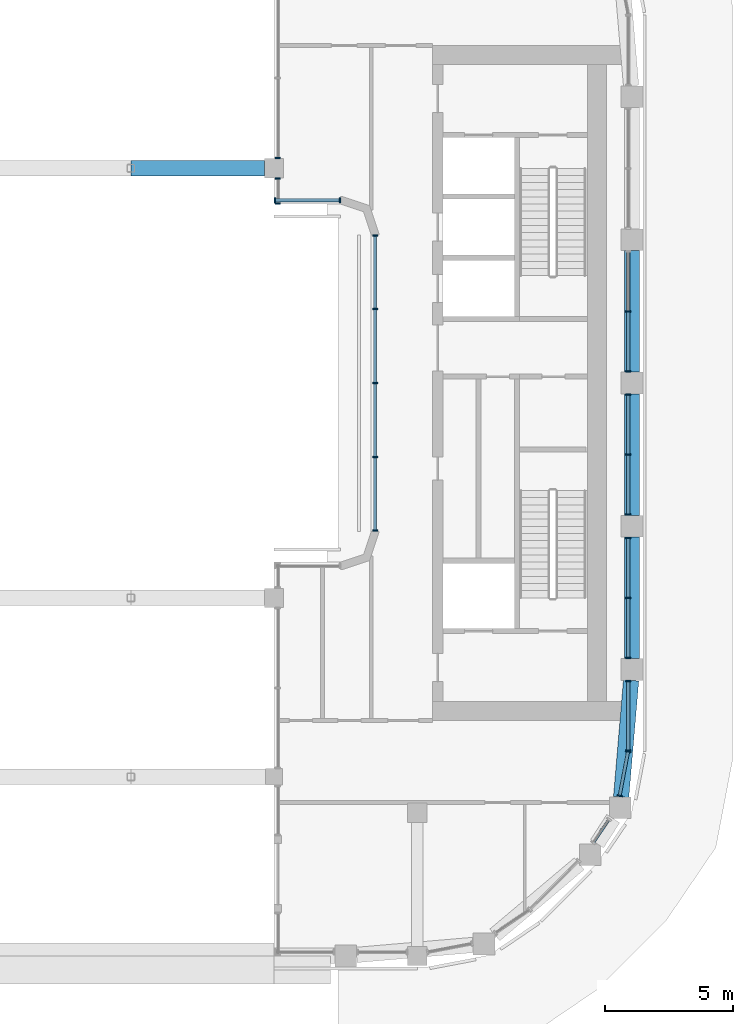
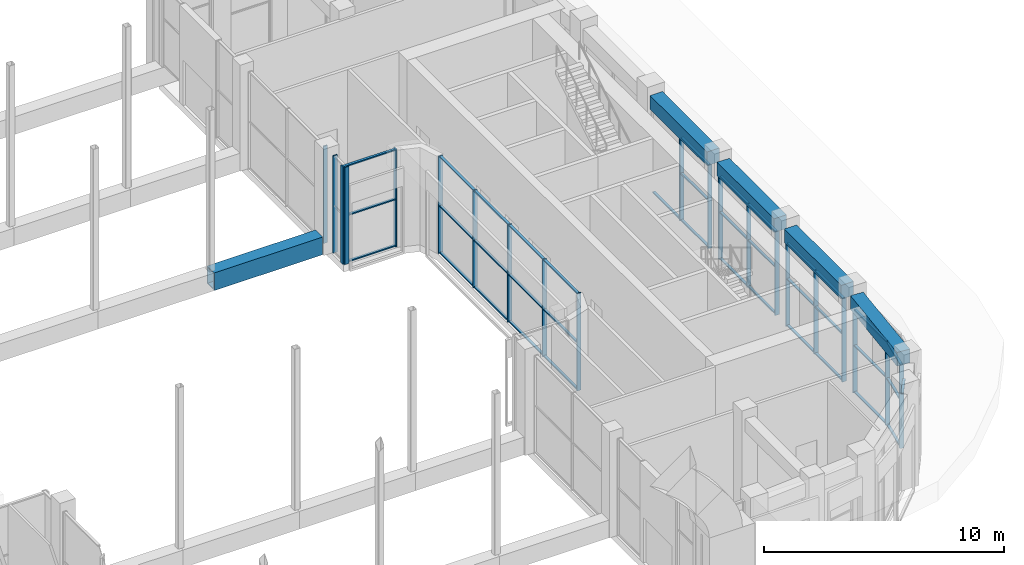
# One storey, part 6 of 26: 61 members, 4 beams, 10 elements without a shape of their own.
"""IFC4 building model written with IfcOpenShell, lengths in metres."""

from ifc_helpers import new_model, si_unit, direction, frame, origin, origin_2d, place, context, subcontext, project, spatial, rectangle, hollow_rectangle, extrude, material, layer, layer_set, material_profile, profile_set, type_object, element, aggregate, save


model = new_model("IFC4")

# Units and contexts
model_context = context("Model", 3, precision=1e-05, world=origin(), true_north=direction((0.0, 1.0)))
body_context = subcontext(model_context, "Body", "Model", "MODEL_VIEW")
ifc_project = project(units=[si_unit("LENGTHUNIT", "METRE"), si_unit("AREAUNIT", "SQUARE_METRE"), si_unit("VOLUMEUNIT", "CUBIC_METRE"), si_unit("PLANEANGLEUNIT", "RADIAN"), si_unit("MASSUNIT", "GRAM", prefix="KILO")], contexts=[model_context])

# Site, building, storey
site_placement = place(None, origin())
site = spatial("IfcSite", under=ifc_project, at=site_placement, CompositionType="ELEMENT")
building_placement = place(site_placement, origin())
building = spatial("IfcBuilding", under=site, at=building_placement, Name="Kiln Ring Residences", CompositionType="ELEMENT")
storey_placement = place(building_placement, frame((0.0, 0.0, 230.89990234375)))
storey = spatial("IfcBuildingStorey", under=building, at=storey_placement, Name="L60", CompositionType="ELEMENT", Elevation=230.89990234375)

# Member
ifc_material_1 = material(Name="Steel S460", Category="steel")
ifc_material_profile_1 = material_profile(ifc_material_1, hollow_rectangle(XDim=0.60009765625, YDim=0.89990234375, WallThickness=0.050048828125, at=origin_2d()), Name="BOX900x600x50")
ifc_profile_set_1 = profile_set([ifc_material_profile_1], Name="Steel S460")
member_type_1 = type_object("IfcMemberType", Name="Bridge truss chord BOX900x600x50 S460", PredefinedType="CHORD", material=ifc_profile_set_1)
member_1_placement = place(storey_placement, frame((5.60009765625, 8.39990234375, 0.4501953125), z_axis=(1.0, 0.0, 0.0), x_axis=(0.0, 1.0, 0.0)))
element("IfcMember", 1, at=member_1_placement, inside=storey, type_object=member_type_1, Name="Bridge truss chord L60 18", PredefinedType="CHORD", context=body_context, shape_type="SweptSolid", body=[
    extrude(hollow_rectangle(XDim=0.60009765625, YDim=0.89990234375, WallThickness=0.050048828125, at=origin_2d()), origin(), (0.0, 0.0, 1.0), 5.224853515625),
])

# Curtain wall, members
ifc_material_2 = material(Name="Aluminium and glass", Category="aluminium")
ifc_layer = layer(ifc_material_2, 0.199951171875)
ifc_layer_set = layer_set([ifc_layer], Name="CW1 CURTAIN WALL")
curtain_wall_type = type_object("IfcCurtainWallType", Name="CW1 CURTAIN WALL", PredefinedType="NOTDEFINED", material=ifc_layer_set)
placement = place(storey_placement, origin())
curtain_wall_1 = element("IfcCurtainWall", 2, at=placement, inside=storey, type_object=curtain_wall_type, Name="Curtain wall CW1 L60", PredefinedType="NOTDEFINED")
ifc_material_3 = material(Name="Aluminium 6063-T6", Category="aluminium")
ifc_material_profile_2 = material_profile(ifc_material_3, rectangle(XDim=0.199951171875, YDim=0.06005859375, at=origin_2d()), Name="AL 200x60")
ifc_profile_set_2 = profile_set([ifc_material_profile_2], Name="Aluminium 6063-T6")
member_type_2 = type_object("IfcMemberType", Name="CW1 MULLION 200 x 60", PredefinedType="MULLION", material=ifc_profile_set_2)
member_2_placement = place(storey_placement, frame((24.715087890625, -16.14111328125, 0.0), z_axis=(0.0, 0.0, 1.0), x_axis=(-0.982290257829, 0.187365550124, 0.0)))
member_2 = element("IfcMember", 3, at=member_2_placement, type_object=member_type_2, Name="CW1 mullion 1", PredefinedType="MULLION", context=body_context, shape_type="SweptSolid", body=[
    extrude(rectangle(XDim=0.199951171875, YDim=0.06005859375, at=origin_2d()), origin(), (0.0, 0.0, 1.0), 4.25),
])
member_3_placement = place(storey_placement, frame((25.047119140625, -14.4013671875, 0.0), z_axis=(0.0, 0.0, 1.0), x_axis=(-0.982290257829, 0.187365550124, 0.0)))
member_3 = element("IfcMember", 4, at=member_3_placement, type_object=member_type_2, Name="CW1 mullion 2", PredefinedType="MULLION", context=body_context, shape_type="SweptSolid", body=[
    extrude(rectangle(XDim=0.199951171875, YDim=0.06005859375, at=origin_2d()), origin(), (0.0, 0.0, 1.0), 4.25),
])

curtain_wall_2 = element("IfcCurtainWall", 5, at=placement, inside=storey, type_object=curtain_wall_type, Name="Curtain wall CW1 L60", PredefinedType="NOTDEFINED")
member_4_placement = place(storey_placement, frame((25.050048828125, -14.3701171875, 0.0), z_axis=(0.0, 0.0, 1.0), x_axis=(-1.0, 0.0, 0.0)))
member_4 = element("IfcMember", 6, at=member_4_placement, type_object=member_type_2, Name="CW1 mullion 1", PredefinedType="MULLION", context=body_context, shape_type="SweptSolid", body=[
    extrude(rectangle(XDim=0.199951171875, YDim=0.06005859375, at=origin_2d()), origin(), (0.0, 0.0, 1.0), 4.25),
])
member_5_placement = place(storey_placement, frame((25.050048828125, -11.655029296875, 0.0), z_axis=(0.0, 0.0, 1.0), x_axis=(-1.0, 0.0, 0.0)))
member_5 = element("IfcMember", 7, at=member_5_placement, type_object=member_type_2, Name="CW1 mullion 2", PredefinedType="MULLION", context=body_context, shape_type="SweptSolid", body=[
    extrude(rectangle(XDim=0.199951171875, YDim=0.06005859375, at=origin_2d()), origin(), (0.0, 0.0, 1.0), 4.25),
])

curtain_wall_3 = element("IfcCurtainWall", 8, at=placement, inside=storey, type_object=curtain_wall_type, Name="Curtain wall CW1 L60", PredefinedType="NOTDEFINED")
member_6_placement = place(storey_placement, frame((25.050048828125, -10.7451171875, 0.0), z_axis=(0.0, 0.0, 1.0), x_axis=(-1.0, 0.0, 0.0)))
member_6 = element("IfcMember", 9, at=member_6_placement, type_object=member_type_2, Name="CW1 mullion 1", PredefinedType="MULLION", context=body_context, shape_type="SweptSolid", body=[
    extrude(rectangle(XDim=0.199951171875, YDim=0.06005859375, at=origin_2d()), origin(), (0.0, 0.0, 1.0), 4.25),
])
member_7_placement = place(storey_placement, frame((25.050048828125, -8.39990234375, 0.0), z_axis=(0.0, 0.0, 1.0), x_axis=(-1.0, 0.0, 0.0)))
member_7 = element("IfcMember", 10, at=member_7_placement, type_object=member_type_2, Name="CW1 mullion 2", PredefinedType="MULLION", context=body_context, shape_type="SweptSolid", body=[
    extrude(rectangle(XDim=0.199951171875, YDim=0.06005859375, at=origin_2d()), origin(), (0.0, 0.0, 1.0), 4.25),
])
member_8_placement = place(storey_placement, frame((25.050048828125, -6.054931640625, 0.0), z_axis=(0.0, 0.0, 1.0), x_axis=(-1.0, 0.0, 0.0)))
member_8 = element("IfcMember", 11, at=member_8_placement, type_object=member_type_2, Name="CW1 mullion 3", PredefinedType="MULLION", context=body_context, shape_type="SweptSolid", body=[
    extrude(rectangle(XDim=0.199951171875, YDim=0.06005859375, at=origin_2d()), origin(), (0.0, 0.0, 1.0), 4.25),
])

curtain_wall_4 = element("IfcCurtainWall", 12, at=placement, inside=storey, type_object=curtain_wall_type, Name="Curtain wall CW1 L60", PredefinedType="NOTDEFINED")
member_9_placement = place(storey_placement, frame((25.050048828125, -5.14501953125, 0.0), z_axis=(0.0, 0.0, 1.0), x_axis=(-1.0, 0.0, 0.0)))
member_9 = element("IfcMember", 13, at=member_9_placement, type_object=member_type_2, Name="CW1 mullion 1", PredefinedType="MULLION", context=body_context, shape_type="SweptSolid", body=[
    extrude(rectangle(XDim=0.199951171875, YDim=0.06005859375, at=origin_2d()), origin(), (0.0, 0.0, 1.0), 4.25),
])
member_10_placement = place(storey_placement, frame((25.050048828125, -2.800048828125, 0.0), z_axis=(0.0, 0.0, 1.0), x_axis=(-1.0, 0.0, 0.0)))
member_10 = element("IfcMember", 14, at=member_10_placement, type_object=member_type_2, Name="CW1 mullion 2", PredefinedType="MULLION", context=body_context, shape_type="SweptSolid", body=[
    extrude(rectangle(XDim=0.199951171875, YDim=0.06005859375, at=origin_2d()), origin(), (0.0, 0.0, 1.0), 4.25),
])
member_11_placement = place(storey_placement, frame((25.050048828125, -0.455078125, 0.0), z_axis=(0.0, 0.0, 1.0), x_axis=(-1.0, 0.0, 0.0)))
member_11 = element("IfcMember", 15, at=member_11_placement, type_object=member_type_2, Name="CW1 mullion 3", PredefinedType="MULLION", context=body_context, shape_type="SweptSolid", body=[
    extrude(rectangle(XDim=0.199951171875, YDim=0.06005859375, at=origin_2d()), origin(), (0.0, 0.0, 1.0), 4.25),
])

curtain_wall_5 = element("IfcCurtainWall", 16, at=placement, inside=storey, type_object=curtain_wall_type, Name="Curtain wall CW1 L60", PredefinedType="NOTDEFINED")
member_12_placement = place(storey_placement, frame((25.050048828125, 0.455078125, 0.0), z_axis=(0.0, 0.0, 1.0), x_axis=(-1.0, 0.0, 0.0)))
member_12 = element("IfcMember", 17, at=member_12_placement, type_object=member_type_2, Name="CW1 mullion 1", PredefinedType="MULLION", context=body_context, shape_type="SweptSolid", body=[
    extrude(rectangle(XDim=0.199951171875, YDim=0.06005859375, at=origin_2d()), origin(), (0.0, 0.0, 1.0), 4.25),
])
member_13_placement = place(storey_placement, frame((25.050048828125, 2.800048828125, 0.0), z_axis=(0.0, 0.0, 1.0), x_axis=(-1.0, 0.0, 0.0)))
member_13 = element("IfcMember", 18, at=member_13_placement, type_object=member_type_2, Name="CW1 mullion 2", PredefinedType="MULLION", context=body_context, shape_type="SweptSolid", body=[
    extrude(rectangle(XDim=0.199951171875, YDim=0.06005859375, at=origin_2d()), origin(), (0.0, 0.0, 1.0), 4.25),
])

# Curtain wall, member
curtain_wall_6 = element("IfcCurtainWall", 19, at=placement, inside=storey, type_object=curtain_wall_type, Name="Curtain wall CW1 L60", PredefinedType="NOTDEFINED")
member_14_placement = place(storey_placement, frame((11.35009765625, 8.804931640625, 0.0), z_axis=(0.0, 0.0, 1.0), x_axis=(1.0, 0.0, 0.0)))
member_14 = element("IfcMember", 20, at=member_14_placement, type_object=member_type_2, Name="CW1 mullion 3", PredefinedType="MULLION", context=body_context, shape_type="SweptSolid", body=[
    extrude(rectangle(XDim=0.199951171875, YDim=0.06005859375, at=origin_2d()), origin(), (0.0, 0.0, 1.0), 4.9501953125),
])
aggregate(curtain_wall_6, [member_14])

# Curtain wall, members
curtain_wall_7 = element("IfcCurtainWall", 21, at=placement, inside=storey, type_object=curtain_wall_type, Name="Curtain wall CW1 L60", PredefinedType="NOTDEFINED")
member_15_placement = place(storey_placement, frame((11.35009765625, 7.9951171875, 0.0), z_axis=(0.0, 0.0, 1.0), x_axis=(1.0, 0.0, 0.0)))
member_15 = element("IfcMember", 22, at=member_15_placement, type_object=member_type_2, Name="CW1 mullion 1", PredefinedType="MULLION", context=body_context, shape_type="SweptSolid", body=[
    extrude(rectangle(XDim=0.199951171875, YDim=0.06005859375, at=origin_2d()), origin(), (0.0, 0.0, 1.0), 4.9501953125),
])
member_16_placement = place(storey_placement, frame((11.35009765625, 7.030029296875, 0.0), z_axis=(0.0, 0.0, 1.0), x_axis=(1.0, 0.0, 0.0)))
member_16 = element("IfcMember", 23, at=member_16_placement, type_object=member_type_2, Name="CW1 mullion 2", PredefinedType="MULLION", context=body_context, shape_type="SweptSolid", body=[
    extrude(rectangle(XDim=0.199951171875, YDim=0.06005859375, at=origin_2d()), origin(), (0.0, 0.0, 1.0), 4.9501953125),
])
aggregate(curtain_wall_7, [member_15, member_16])

curtain_wall_8 = element("IfcCurtainWall", 24, at=placement, inside=storey, type_object=curtain_wall_type, Name="Curtain wall CW1 L60", PredefinedType="NOTDEFINED")
member_17_placement = place(storey_placement, frame((11.22998046875, 7.14990234375, 0.0), z_axis=(0.0, 0.0, 1.0), x_axis=(0.0, 1.0, 0.0)))
member_17 = element("IfcMember", 25, at=member_17_placement, type_object=member_type_2, Name="CW1 mullion 1", PredefinedType="MULLION", context=body_context, shape_type="SweptSolid", body=[
    extrude(rectangle(XDim=0.199951171875, YDim=0.06005859375, at=origin_2d()), origin(), (0.0, 0.0, 1.0), 4.9501953125),
])
member_18_placement = place(storey_placement, frame((13.77001953125, 7.14990234375, 0.0), z_axis=(0.0, 0.0, 1.0), x_axis=(0.0, 1.0, 0.0)))
member_18 = element("IfcMember", 26, at=member_18_placement, type_object=member_type_2, Name="CW1 mullion 2", PredefinedType="MULLION", context=body_context, shape_type="SweptSolid", body=[
    extrude(rectangle(XDim=0.199951171875, YDim=0.06005859375, at=origin_2d()), origin(), (0.0, 0.0, 1.0), 4.9501953125),
])

curtain_wall_9 = element("IfcCurtainWall", 27, at=placement, inside=storey, type_object=curtain_wall_type, Name="Curtain wall CW1 L60", PredefinedType="NOTDEFINED")
member_19_placement = place(storey_placement, frame((15.14990234375, 5.77001953125, 0.0), z_axis=(0.0, 0.0, 1.0), x_axis=(1.0, 0.0, 0.0)))
member_19 = element("IfcMember", 28, at=member_19_placement, type_object=member_type_2, Name="CW1 mullion 1", PredefinedType="MULLION", context=body_context, shape_type="SweptSolid", body=[
    extrude(rectangle(XDim=0.199951171875, YDim=0.06005859375, at=origin_2d()), origin(), (0.0, 0.0, 1.0), 4.9501953125),
])
member_20_placement = place(storey_placement, frame((15.14990234375, 2.89990234375, 0.0), z_axis=(0.0, 0.0, 1.0), x_axis=(1.0, 0.0, 0.0)))
member_20 = element("IfcMember", 29, at=member_20_placement, type_object=member_type_2, Name="CW1 mullion 2", PredefinedType="MULLION", context=body_context, shape_type="SweptSolid", body=[
    extrude(rectangle(XDim=0.199951171875, YDim=0.06005859375, at=origin_2d()), origin(), (0.0, 0.0, 1.0), 4.9501953125),
])
member_21_placement = place(storey_placement, frame((15.14990234375, 0.0, 0.0), z_axis=(0.0, 0.0, 1.0), x_axis=(1.0, 0.0, 0.0)))
member_21 = element("IfcMember", 30, at=member_21_placement, type_object=member_type_2, Name="CW1 mullion 3", PredefinedType="MULLION", context=body_context, shape_type="SweptSolid", body=[
    extrude(rectangle(XDim=0.199951171875, YDim=0.06005859375, at=origin_2d()), origin(), (0.0, 0.0, 1.0), 4.9501953125),
])
member_22_placement = place(storey_placement, frame((15.14990234375, -2.89990234375, 0.0), z_axis=(0.0, 0.0, 1.0), x_axis=(1.0, 0.0, 0.0)))
member_22 = element("IfcMember", 31, at=member_22_placement, type_object=member_type_2, Name="CW1 mullion 4", PredefinedType="MULLION", context=body_context, shape_type="SweptSolid", body=[
    extrude(rectangle(XDim=0.199951171875, YDim=0.06005859375, at=origin_2d()), origin(), (0.0, 0.0, 1.0), 4.9501953125),
])
member_23_placement = place(storey_placement, frame((15.14990234375, -5.77001953125, 0.0), z_axis=(0.0, 0.0, 1.0), x_axis=(1.0, 0.0, 0.0)))
member_23 = element("IfcMember", 32, at=member_23_placement, type_object=member_type_2, Name="CW1 mullion 5", PredefinedType="MULLION", context=body_context, shape_type="SweptSolid", body=[
    extrude(rectangle(XDim=0.199951171875, YDim=0.06005859375, at=origin_2d()), origin(), (0.0, 0.0, 1.0), 4.9501953125),
])

# Curtain wall, member
curtain_wall_10 = element("IfcCurtainWall", 33, at=placement, inside=storey, type_object=curtain_wall_type, Name="Curtain wall CW1 L60", PredefinedType="NOTDEFINED")
ifc_material_4 = material(Name="Aluminium 6063-T6", Category="aluminium")
ifc_material_profile_3 = material_profile(ifc_material_4, rectangle(XDim=0.1201171875, YDim=0.06005859375, at=origin_2d()), Name="AL 120x60")
ifc_profile_set_3 = profile_set([ifc_material_profile_3], Name="Aluminium 6063-T6")
member_type_3 = type_object("IfcMemberType", Name="CW1 TRANSOM 120 x 60", PredefinedType="USERDEFINED", material=ifc_profile_set_3)
member_24_placement = place(storey_placement, frame((23.69580078125, -17.9462890625, 4.22021484375), z_axis=(0.562182033231, 0.827013519546, 0.0), x_axis=(-0.827013519546, 0.562182033231, 0.0)))
member_24 = element("IfcMember", 34, at=member_24_placement, type_object=member_type_3, Name="CW1 transom 1.3", ObjectType="TRANSOM", PredefinedType="USERDEFINED", context=body_context, shape_type="SweptSolid", body=[
    extrude(rectangle(XDim=0.1201171875, YDim=0.06005859375, at=origin_2d()), origin(), (0.0, 0.0, 1.0), 1.04345703125),
])
aggregate(curtain_wall_10, [member_24])

# Member
member_25_placement = place(storey_placement, frame((24.720703125, -16.111572265625, 0.030029296875), z_axis=(0.187492387772, 0.982266055877, 0.0), x_axis=(-0.982266055877, 0.187492387772, 0.0)))
member_25 = element("IfcMember", 35, at=member_25_placement, type_object=member_type_3, Name="CW1 transom 1.1", ObjectType="TRANSOM", PredefinedType="USERDEFINED", context=body_context, shape_type="SweptSolid", body=[
    extrude(rectangle(XDim=0.1201171875, YDim=0.06005859375, at=origin_2d()), origin(), (0.0, 0.0, 1.0), 1.7109375),
])

member_26_placement = place(storey_placement, frame((24.720703125, -16.111572265625, 2.400146484375), z_axis=(0.187492387772, 0.982266055877, 0.0), x_axis=(-0.982266055877, 0.187492387772, 0.0)))
member_26 = element("IfcMember", 36, at=member_26_placement, type_object=member_type_3, Name="CW1 transom 1.2", ObjectType="TRANSOM", PredefinedType="USERDEFINED", context=body_context, shape_type="SweptSolid", body=[
    extrude(rectangle(XDim=0.1201171875, YDim=0.06005859375, at=origin_2d()), origin(), (0.0, 0.0, 1.0), 1.7109375),
])

member_27_placement = place(storey_placement, frame((24.720703125, -16.111572265625, 4.22021484375), z_axis=(0.187492387772, 0.982266055877, 0.0), x_axis=(-0.982266055877, 0.187492387772, 0.0)))
member_27 = element("IfcMember", 37, at=member_27_placement, type_object=member_type_3, Name="CW1 transom 1.3", ObjectType="TRANSOM", PredefinedType="USERDEFINED", context=body_context, shape_type="SweptSolid", body=[
    extrude(rectangle(XDim=0.1201171875, YDim=0.06005859375, at=origin_2d()), origin(), (0.0, 0.0, 1.0), 1.7109375),
])

aggregate(curtain_wall_1, [member_2, member_3, member_25, member_26, member_27])

member_28_placement = place(storey_placement, frame((25.050048828125, -14.340087890625, 0.030029296875), z_axis=(0.0, 1.0, 0.0), x_axis=(-1.0, 0.0, 0.0)))
member_28 = element("IfcMember", 38, at=member_28_placement, type_object=member_type_3, Name="CW1 transom 1.1", ObjectType="TRANSOM", PredefinedType="USERDEFINED", context=body_context, shape_type="SweptSolid", body=[
    extrude(rectangle(XDim=0.1201171875, YDim=0.06005859375, at=origin_2d()), origin(), (0.0, 0.0, 1.0), 2.655029296875),
])

member_29_placement = place(storey_placement, frame((25.050048828125, -14.340087890625, 2.400146484375), z_axis=(0.0, 1.0, 0.0), x_axis=(-1.0, 0.0, 0.0)))
member_29 = element("IfcMember", 39, at=member_29_placement, type_object=member_type_3, Name="CW1 transom 1.2", ObjectType="TRANSOM", PredefinedType="USERDEFINED", context=body_context, shape_type="SweptSolid", body=[
    extrude(rectangle(XDim=0.1201171875, YDim=0.06005859375, at=origin_2d()), origin(), (0.0, 0.0, 1.0), 2.655029296875),
])

member_30_placement = place(storey_placement, frame((25.050048828125, -14.340087890625, 4.22021484375), z_axis=(0.0, 1.0, 0.0), x_axis=(-1.0, 0.0, 0.0)))
member_30 = element("IfcMember", 40, at=member_30_placement, type_object=member_type_3, Name="CW1 transom 1.3", ObjectType="TRANSOM", PredefinedType="USERDEFINED", context=body_context, shape_type="SweptSolid", body=[
    extrude(rectangle(XDim=0.1201171875, YDim=0.06005859375, at=origin_2d()), origin(), (0.0, 0.0, 1.0), 2.655029296875),
])

aggregate(curtain_wall_2, [member_4, member_5, member_28, member_29, member_30])

member_31_placement = place(storey_placement, frame((25.050048828125, -10.715087890625, 0.030029296875), z_axis=(0.0, 1.0, 0.0), x_axis=(-1.0, 0.0, 0.0)))
member_31 = element("IfcMember", 41, at=member_31_placement, type_object=member_type_3, Name="CW1 transom 1.1", ObjectType="TRANSOM", PredefinedType="USERDEFINED", context=body_context, shape_type="SweptSolid", body=[
    extrude(rectangle(XDim=0.1201171875, YDim=0.06005859375, at=origin_2d()), origin(), (0.0, 0.0, 1.0), 2.28515625),
])

member_32_placement = place(storey_placement, frame((25.050048828125, -10.715087890625, 2.400146484375), z_axis=(0.0, 1.0, 0.0), x_axis=(-1.0, 0.0, 0.0)))
member_32 = element("IfcMember", 42, at=member_32_placement, type_object=member_type_3, Name="CW1 transom 1.2", ObjectType="TRANSOM", PredefinedType="USERDEFINED", context=body_context, shape_type="SweptSolid", body=[
    extrude(rectangle(XDim=0.1201171875, YDim=0.06005859375, at=origin_2d()), origin(), (0.0, 0.0, 1.0), 2.28515625),
])

member_33_placement = place(storey_placement, frame((25.050048828125, -10.715087890625, 4.22021484375), z_axis=(0.0, 1.0, 0.0), x_axis=(-1.0, 0.0, 0.0)))
member_33 = element("IfcMember", 43, at=member_33_placement, type_object=member_type_3, Name="CW1 transom 1.3", ObjectType="TRANSOM", PredefinedType="USERDEFINED", context=body_context, shape_type="SweptSolid", body=[
    extrude(rectangle(XDim=0.1201171875, YDim=0.06005859375, at=origin_2d()), origin(), (0.0, 0.0, 1.0), 2.28515625),
])

member_34_placement = place(storey_placement, frame((25.050048828125, -8.3701171875, 0.030029296875), z_axis=(0.0, 1.0, 0.0), x_axis=(-1.0, 0.0, 0.0)))
member_34 = element("IfcMember", 44, at=member_34_placement, type_object=member_type_3, Name="CW1 transom 2.1", ObjectType="TRANSOM", PredefinedType="USERDEFINED", context=body_context, shape_type="SweptSolid", body=[
    extrude(rectangle(XDim=0.1201171875, YDim=0.06005859375, at=origin_2d()), origin(), (0.0, 0.0, 1.0), 2.28515625),
])

member_35_placement = place(storey_placement, frame((25.050048828125, -8.3701171875, 2.400146484375), z_axis=(0.0, 1.0, 0.0), x_axis=(-1.0, 0.0, 0.0)))
member_35 = element("IfcMember", 45, at=member_35_placement, type_object=member_type_3, Name="CW1 transom 2.2", ObjectType="TRANSOM", PredefinedType="USERDEFINED", context=body_context, shape_type="SweptSolid", body=[
    extrude(rectangle(XDim=0.1201171875, YDim=0.06005859375, at=origin_2d()), origin(), (0.0, 0.0, 1.0), 2.28515625),
])

member_36_placement = place(storey_placement, frame((25.050048828125, -8.3701171875, 4.22021484375), z_axis=(0.0, 1.0, 0.0), x_axis=(-1.0, 0.0, 0.0)))
member_36 = element("IfcMember", 46, at=member_36_placement, type_object=member_type_3, Name="CW1 transom 2.3", ObjectType="TRANSOM", PredefinedType="USERDEFINED", context=body_context, shape_type="SweptSolid", body=[
    extrude(rectangle(XDim=0.1201171875, YDim=0.06005859375, at=origin_2d()), origin(), (0.0, 0.0, 1.0), 2.28515625),
])

aggregate(curtain_wall_3, [member_6, member_7, member_8, member_31, member_32, member_33, member_34, member_35, member_36])

member_37_placement = place(storey_placement, frame((25.050048828125, -5.114990234375, 0.030029296875), z_axis=(0.0, 1.0, 0.0), x_axis=(-1.0, 0.0, 0.0)))
member_37 = element("IfcMember", 47, at=member_37_placement, type_object=member_type_3, Name="CW1 transom 1.1", ObjectType="TRANSOM", PredefinedType="USERDEFINED", context=body_context, shape_type="SweptSolid", body=[
    extrude(rectangle(XDim=0.1201171875, YDim=0.06005859375, at=origin_2d()), origin(), (0.0, 0.0, 1.0), 2.284912109375),
])

member_38_placement = place(storey_placement, frame((25.050048828125, -5.114990234375, 2.400146484375), z_axis=(0.0, 1.0, 0.0), x_axis=(-1.0, 0.0, 0.0)))
member_38 = element("IfcMember", 48, at=member_38_placement, type_object=member_type_3, Name="CW1 transom 1.2", ObjectType="TRANSOM", PredefinedType="USERDEFINED", context=body_context, shape_type="SweptSolid", body=[
    extrude(rectangle(XDim=0.1201171875, YDim=0.06005859375, at=origin_2d()), origin(), (0.0, 0.0, 1.0), 2.284912109375),
])

member_39_placement = place(storey_placement, frame((25.050048828125, -5.114990234375, 4.22021484375), z_axis=(0.0, 1.0, 0.0), x_axis=(-1.0, 0.0, 0.0)))
member_39 = element("IfcMember", 49, at=member_39_placement, type_object=member_type_3, Name="CW1 transom 1.3", ObjectType="TRANSOM", PredefinedType="USERDEFINED", context=body_context, shape_type="SweptSolid", body=[
    extrude(rectangle(XDim=0.1201171875, YDim=0.06005859375, at=origin_2d()), origin(), (0.0, 0.0, 1.0), 2.284912109375),
])

member_40_placement = place(storey_placement, frame((25.050048828125, -2.77001953125, 0.030029296875), z_axis=(0.0, 1.0, 0.0), x_axis=(-1.0, 0.0, 0.0)))
member_40 = element("IfcMember", 50, at=member_40_placement, type_object=member_type_3, Name="CW1 transom 2.1", ObjectType="TRANSOM", PredefinedType="USERDEFINED", context=body_context, shape_type="SweptSolid", body=[
    extrude(rectangle(XDim=0.1201171875, YDim=0.06005859375, at=origin_2d()), origin(), (0.0, 0.0, 1.0), 2.284912109375),
])

member_41_placement = place(storey_placement, frame((25.050048828125, -2.77001953125, 2.400146484375), z_axis=(0.0, 1.0, 0.0), x_axis=(-1.0, 0.0, 0.0)))
member_41 = element("IfcMember", 51, at=member_41_placement, type_object=member_type_3, Name="CW1 transom 2.2", ObjectType="TRANSOM", PredefinedType="USERDEFINED", context=body_context, shape_type="SweptSolid", body=[
    extrude(rectangle(XDim=0.1201171875, YDim=0.06005859375, at=origin_2d()), origin(), (0.0, 0.0, 1.0), 2.284912109375),
])

member_42_placement = place(storey_placement, frame((25.050048828125, -2.77001953125, 4.22021484375), z_axis=(0.0, 1.0, 0.0), x_axis=(-1.0, 0.0, 0.0)))
member_42 = element("IfcMember", 52, at=member_42_placement, type_object=member_type_3, Name="CW1 transom 2.3", ObjectType="TRANSOM", PredefinedType="USERDEFINED", context=body_context, shape_type="SweptSolid", body=[
    extrude(rectangle(XDim=0.1201171875, YDim=0.06005859375, at=origin_2d()), origin(), (0.0, 0.0, 1.0), 2.284912109375),
])

aggregate(curtain_wall_4, [member_9, member_10, member_11, member_37, member_38, member_39, member_40, member_41, member_42])

member_43_placement = place(storey_placement, frame((25.050048828125, 0.485107421875, 0.030029296875), z_axis=(0.0, 1.0, 0.0), x_axis=(-1.0, 0.0, 0.0)))
member_43 = element("IfcMember", 53, at=member_43_placement, type_object=member_type_3, Name="CW1 transom 1.1", ObjectType="TRANSOM", PredefinedType="USERDEFINED", context=body_context, shape_type="SweptSolid", body=[
    extrude(rectangle(XDim=0.1201171875, YDim=0.06005859375, at=origin_2d()), origin(), (0.0, 0.0, 1.0), 2.284912109375),
])

member_44_placement = place(storey_placement, frame((25.050048828125, 0.485107421875, 2.400146484375), z_axis=(0.0, 1.0, 0.0), x_axis=(-1.0, 0.0, 0.0)))
member_44 = element("IfcMember", 54, at=member_44_placement, type_object=member_type_3, Name="CW1 transom 1.2", ObjectType="TRANSOM", PredefinedType="USERDEFINED", context=body_context, shape_type="SweptSolid", body=[
    extrude(rectangle(XDim=0.1201171875, YDim=0.06005859375, at=origin_2d()), origin(), (0.0, 0.0, 1.0), 2.284912109375),
])

member_45_placement = place(storey_placement, frame((25.050048828125, 0.485107421875, 4.22021484375), z_axis=(0.0, 1.0, 0.0), x_axis=(-1.0, 0.0, 0.0)))
member_45 = element("IfcMember", 55, at=member_45_placement, type_object=member_type_3, Name="CW1 transom 1.3", ObjectType="TRANSOM", PredefinedType="USERDEFINED", context=body_context, shape_type="SweptSolid", body=[
    extrude(rectangle(XDim=0.1201171875, YDim=0.06005859375, at=origin_2d()), origin(), (0.0, 0.0, 1.0), 2.284912109375),
])

member_46_placement = place(storey_placement, frame((25.050048828125, 2.830078125, 0.030029296875), z_axis=(0.0, 1.0, 0.0), x_axis=(-1.0, 0.0, 0.0)))
member_46 = element("IfcMember", 56, at=member_46_placement, type_object=member_type_3, Name="CW1 transom 2.1", ObjectType="TRANSOM", PredefinedType="USERDEFINED", context=body_context, shape_type="SweptSolid", body=[
    extrude(rectangle(XDim=0.1201171875, YDim=0.06005859375, at=origin_2d()), origin(), (0.0, 0.0, 1.0), 2.284912109375),
])

aggregate(curtain_wall_5, [member_12, member_13, member_43, member_44, member_45, member_46])

member_47_placement = place(storey_placement, frame((11.260009765625, 7.14990234375, 0.030029296875), z_axis=(1.0, 0.0, 0.0), x_axis=(0.0, 1.0, 0.0)))
member_47 = element("IfcMember", 57, at=member_47_placement, type_object=member_type_3, Name="CW1 transom 1.1", ObjectType="TRANSOM", PredefinedType="USERDEFINED", context=body_context, shape_type="SweptSolid", body=[
    extrude(rectangle(XDim=0.1201171875, YDim=0.06005859375, at=origin_2d()), origin(), (0.0, 0.0, 1.0), 2.47998046875),
])

member_48_placement = place(storey_placement, frame((11.260009765625, 7.14990234375, 2.400146484375), z_axis=(1.0, 0.0, 0.0), x_axis=(0.0, 1.0, 0.0)))
member_48 = element("IfcMember", 58, at=member_48_placement, type_object=member_type_3, Name="CW1 transom 1.2", ObjectType="TRANSOM", PredefinedType="USERDEFINED", context=body_context, shape_type="SweptSolid", body=[
    extrude(rectangle(XDim=0.1201171875, YDim=0.06005859375, at=origin_2d()), origin(), (0.0, 0.0, 1.0), 2.47998046875),
])

member_49_placement = place(storey_placement, frame((11.260009765625, 7.14990234375, 4.920166015625), z_axis=(1.0, 0.0, 0.0), x_axis=(0.0, 1.0, 0.0)))
member_49 = element("IfcMember", 59, at=member_49_placement, type_object=member_type_3, Name="CW1 transom 1.3", ObjectType="TRANSOM", PredefinedType="USERDEFINED", context=body_context, shape_type="SweptSolid", body=[
    extrude(rectangle(XDim=0.1201171875, YDim=0.06005859375, at=origin_2d()), origin(), (0.0, 0.0, 1.0), 2.47998046875),
])

aggregate(curtain_wall_8, [member_17, member_18, member_47, member_48, member_49])

member_50_placement = place(storey_placement, frame((15.14990234375, 5.739990234375, 0.030029296875), z_axis=(0.0, -1.0, 0.0), x_axis=(1.0, 0.0, 0.0)))
member_50 = element("IfcMember", 60, at=member_50_placement, type_object=member_type_3, Name="CW1 transom 1.1", ObjectType="TRANSOM", PredefinedType="USERDEFINED", context=body_context, shape_type="SweptSolid", body=[
    extrude(rectangle(XDim=0.1201171875, YDim=0.06005859375, at=origin_2d()), origin(), (0.0, 0.0, 1.0), 2.81005859375),
])

member_51_placement = place(storey_placement, frame((15.14990234375, 5.739990234375, 2.400146484375), z_axis=(0.0, -1.0, 0.0), x_axis=(1.0, 0.0, 0.0)))
member_51 = element("IfcMember", 61, at=member_51_placement, type_object=member_type_3, Name="CW1 transom 1.2", ObjectType="TRANSOM", PredefinedType="USERDEFINED", context=body_context, shape_type="SweptSolid", body=[
    extrude(rectangle(XDim=0.1201171875, YDim=0.06005859375, at=origin_2d()), origin(), (0.0, 0.0, 1.0), 2.81005859375),
])

member_52_placement = place(storey_placement, frame((15.14990234375, 5.739990234375, 4.920166015625), z_axis=(0.0, -1.0, 0.0), x_axis=(1.0, 0.0, 0.0)))
member_52 = element("IfcMember", 62, at=member_52_placement, type_object=member_type_3, Name="CW1 transom 1.3", ObjectType="TRANSOM", PredefinedType="USERDEFINED", context=body_context, shape_type="SweptSolid", body=[
    extrude(rectangle(XDim=0.1201171875, YDim=0.06005859375, at=origin_2d()), origin(), (0.0, 0.0, 1.0), 2.81005859375),
])

member_53_placement = place(storey_placement, frame((15.14990234375, 2.8701171875, 0.030029296875), z_axis=(0.0, -1.0, 0.0), x_axis=(1.0, 0.0, 0.0)))
member_53 = element("IfcMember", 63, at=member_53_placement, type_object=member_type_3, Name="CW1 transom 2.1", ObjectType="TRANSOM", PredefinedType="USERDEFINED", context=body_context, shape_type="SweptSolid", body=[
    extrude(rectangle(XDim=0.1201171875, YDim=0.06005859375, at=origin_2d()), origin(), (0.0, 0.0, 1.0), 2.840087890625),
])

member_54_placement = place(storey_placement, frame((15.14990234375, 2.8701171875, 2.400146484375), z_axis=(0.0, -1.0, 0.0), x_axis=(1.0, 0.0, 0.0)))
member_54 = element("IfcMember", 64, at=member_54_placement, type_object=member_type_3, Name="CW1 transom 2.2", ObjectType="TRANSOM", PredefinedType="USERDEFINED", context=body_context, shape_type="SweptSolid", body=[
    extrude(rectangle(XDim=0.1201171875, YDim=0.06005859375, at=origin_2d()), origin(), (0.0, 0.0, 1.0), 2.840087890625),
])

member_55_placement = place(storey_placement, frame((15.14990234375, 2.8701171875, 4.920166015625), z_axis=(0.0, -1.0, 0.0), x_axis=(1.0, 0.0, 0.0)))
member_55 = element("IfcMember", 65, at=member_55_placement, type_object=member_type_3, Name="CW1 transom 2.3", ObjectType="TRANSOM", PredefinedType="USERDEFINED", context=body_context, shape_type="SweptSolid", body=[
    extrude(rectangle(XDim=0.1201171875, YDim=0.06005859375, at=origin_2d()), origin(), (0.0, 0.0, 1.0), 2.840087890625),
])

member_56_placement = place(storey_placement, frame((15.14990234375, -0.030029296875, 0.030029296875), z_axis=(0.0, -1.0, 0.0), x_axis=(1.0, 0.0, 0.0)))
member_56 = element("IfcMember", 66, at=member_56_placement, type_object=member_type_3, Name="CW1 transom 3.1", ObjectType="TRANSOM", PredefinedType="USERDEFINED", context=body_context, shape_type="SweptSolid", body=[
    extrude(rectangle(XDim=0.1201171875, YDim=0.06005859375, at=origin_2d()), origin(), (0.0, 0.0, 1.0), 2.840087890625),
])

member_57_placement = place(storey_placement, frame((15.14990234375, -0.030029296875, 2.400146484375), z_axis=(0.0, -1.0, 0.0), x_axis=(1.0, 0.0, 0.0)))
member_57 = element("IfcMember", 67, at=member_57_placement, type_object=member_type_3, Name="CW1 transom 3.2", ObjectType="TRANSOM", PredefinedType="USERDEFINED", context=body_context, shape_type="SweptSolid", body=[
    extrude(rectangle(XDim=0.1201171875, YDim=0.06005859375, at=origin_2d()), origin(), (0.0, 0.0, 1.0), 2.840087890625),
])

member_58_placement = place(storey_placement, frame((15.14990234375, -0.030029296875, 4.920166015625), z_axis=(0.0, -1.0, 0.0), x_axis=(1.0, 0.0, 0.0)))
member_58 = element("IfcMember", 68, at=member_58_placement, type_object=member_type_3, Name="CW1 transom 3.3", ObjectType="TRANSOM", PredefinedType="USERDEFINED", context=body_context, shape_type="SweptSolid", body=[
    extrude(rectangle(XDim=0.1201171875, YDim=0.06005859375, at=origin_2d()), origin(), (0.0, 0.0, 1.0), 2.840087890625),
])

member_59_placement = place(storey_placement, frame((15.14990234375, -2.929931640625, 0.030029296875), z_axis=(0.0, -1.0, 0.0), x_axis=(1.0, 0.0, 0.0)))
member_59 = element("IfcMember", 69, at=member_59_placement, type_object=member_type_3, Name="CW1 transom 4.1", ObjectType="TRANSOM", PredefinedType="USERDEFINED", context=body_context, shape_type="SweptSolid", body=[
    extrude(rectangle(XDim=0.1201171875, YDim=0.06005859375, at=origin_2d()), origin(), (0.0, 0.0, 1.0), 2.81005859375),
])

member_60_placement = place(storey_placement, frame((15.14990234375, -2.929931640625, 2.400146484375), z_axis=(0.0, -1.0, 0.0), x_axis=(1.0, 0.0, 0.0)))
member_60 = element("IfcMember", 70, at=member_60_placement, type_object=member_type_3, Name="CW1 transom 4.2", ObjectType="TRANSOM", PredefinedType="USERDEFINED", context=body_context, shape_type="SweptSolid", body=[
    extrude(rectangle(XDim=0.1201171875, YDim=0.06005859375, at=origin_2d()), origin(), (0.0, 0.0, 1.0), 2.81005859375),
])

member_61_placement = place(storey_placement, frame((15.14990234375, -2.929931640625, 4.920166015625), z_axis=(0.0, -1.0, 0.0), x_axis=(1.0, 0.0, 0.0)))
member_61 = element("IfcMember", 71, at=member_61_placement, type_object=member_type_3, Name="CW1 transom 4.3", ObjectType="TRANSOM", PredefinedType="USERDEFINED", context=body_context, shape_type="SweptSolid", body=[
    extrude(rectangle(XDim=0.1201171875, YDim=0.06005859375, at=origin_2d()), origin(), (0.0, 0.0, 1.0), 2.81005859375),
])

aggregate(curtain_wall_9, [member_19, member_20, member_21, member_22, member_23, member_50, member_51, member_52, member_53, member_54, member_55, member_56, member_57, member_58, member_59, member_60, member_61])

# Beams
ifc_material_5 = material(Name="Concrete C50/60", Category="concrete")
ifc_material_profile_4 = material_profile(ifc_material_5, rectangle(XDim=0.60009765625, YDim=0.699951171875, at=origin_2d()), Name="RC600x700")
ifc_profile_set_4 = profile_set([ifc_material_profile_4], Name="Concrete C50/60")
beam_type = type_object("IfcBeamType", Name="Spandrel beam RC600x700 C50/60", PredefinedType="SPANDREL", material=ifc_profile_set_4)
beam_placement = place(storey_placement, frame((24.7744140625, -16.18359375, 4.60009765625), z_axis=(0.085112058675, 0.996371385312, 0.0), x_axis=(-0.996371385312, 0.085112058675, 0.0)))
element("IfcBeam", 72, at=beam_placement, inside=storey, type_object=beam_type, Name="Spandrel beam L60 5", PredefinedType="SPANDREL", context=body_context, shape_type="SweptSolid", body=[
    extrude(rectangle(XDim=0.60009765625, YDim=0.699951171875, at=origin_2d()), origin(), (0.0, 0.0, 1.0), 4.5751953125),
])
for number, where, z_axis, x_axis, name in (
    (73, (25.199951171875, -10.77490234375, 4.60009765625), (0.0, 1.0, 0.0), (-1.0, 0.0, 0.0), "Spandrel beam L60 6"),
    (74, (25.199951171875, -5.175048828125, 4.60009765625), (0.0, 1.0, 0.0), (-1.0, 0.0, 0.0), "Spandrel beam L60 7"),
    (75, (25.199951171875, 0.425048828125, 4.60009765625), (0.0, 1.0, 0.0), (-1.0, 0.0, 0.0), "Spandrel beam L60 8"),
):
    element("IfcBeam", number, at=place(storey_placement, frame(where, z_axis=z_axis, x_axis=x_axis)), inside=storey, type_object=beam_type, Name=name, PredefinedType="SPANDREL", context=body_context, shape_type="SweptSolid", body=[
        extrude(rectangle(XDim=0.60009765625, YDim=0.699951171875, at=origin_2d()), origin(), (0.0, 0.0, 1.0), 4.75),
    ])

save(model, "model.ifc")
